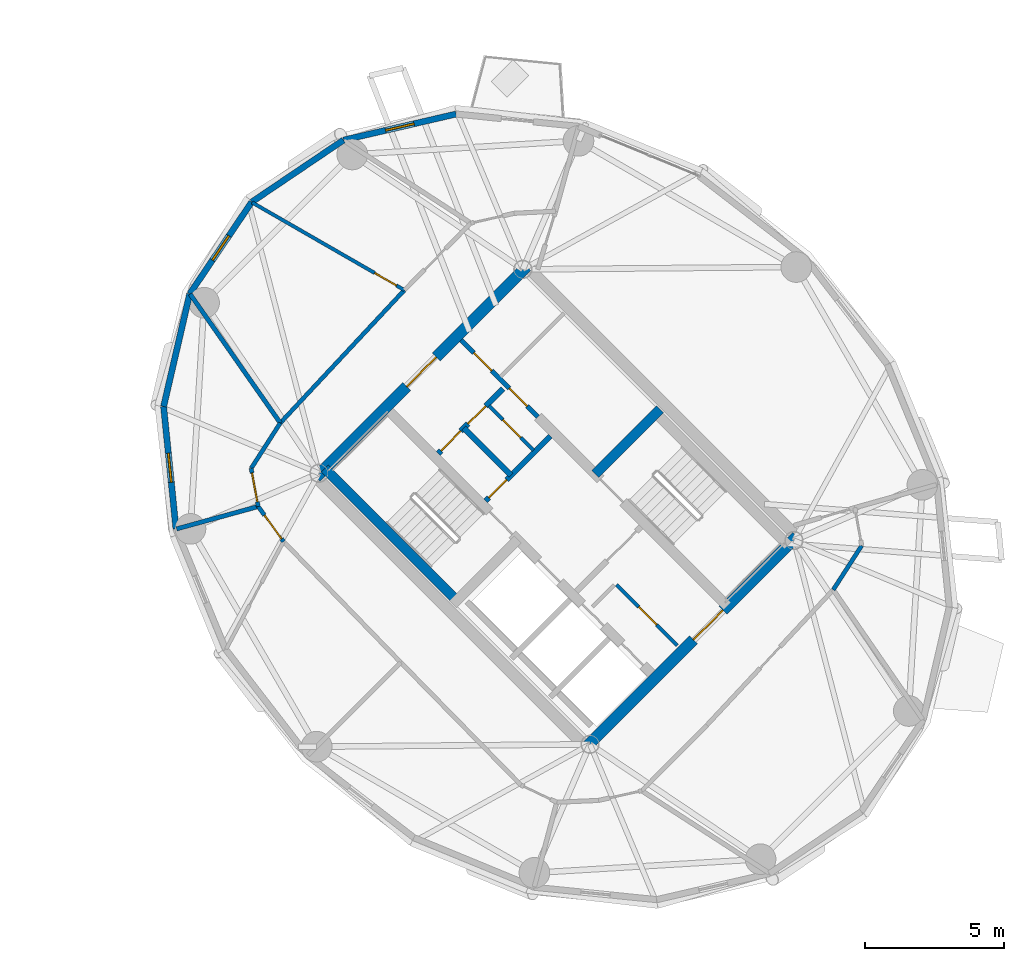
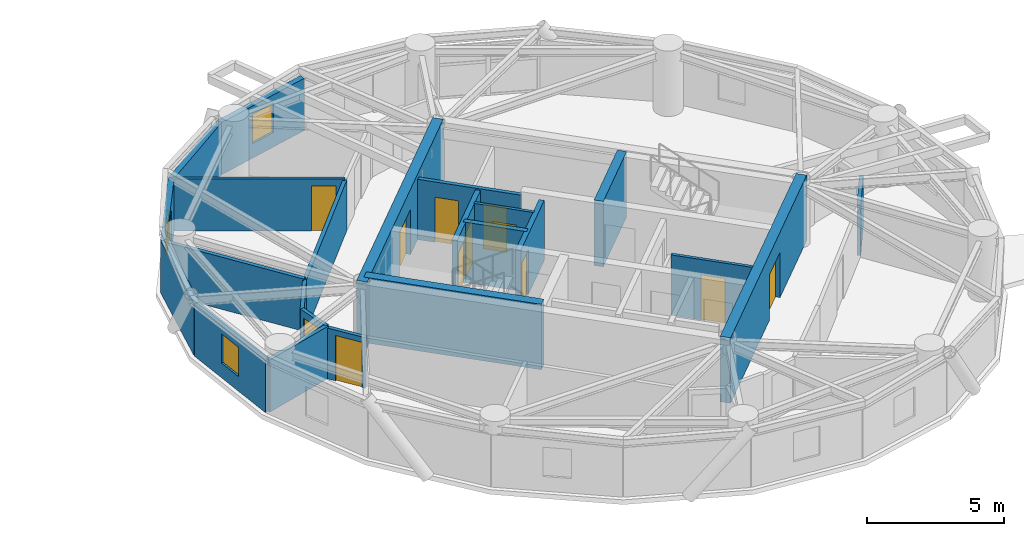
# One storey, part 12 of 17: 23 walls, 12 doors, 3 windows, 15 openings.
"""IFC4 building model written with IfcOpenShell, lengths in metres."""

from ifc_helpers import new_model, si_unit, direction, frame, frame_2d, origin, place, context, subcontext, project, spatial, rectangle, extrude, source, transform, mapped, material, layer, layer_set, type_object, element, fill, save


model = new_model("IFC4")

# Units and contexts
model_context = context("Model", 3, precision=1e-05, world=origin(), true_north=direction((0.0, 1.0)))
body_context = subcontext(model_context, "Body", "Model", "MODEL_VIEW")
ifc_project = project(units=[si_unit("LENGTHUNIT", "METRE"), si_unit("AREAUNIT", "SQUARE_METRE"), si_unit("VOLUMEUNIT", "CUBIC_METRE"), si_unit("PLANEANGLEUNIT", "RADIAN"), si_unit("MASSUNIT", "GRAM", prefix="KILO")], contexts=[model_context])

# Site, building, storey
site_placement = place(None, origin())
site = spatial("IfcSite", under=ifc_project, at=site_placement, CompositionType="ELEMENT")
building_placement = place(site_placement, origin())
building = spatial("IfcBuilding", under=site, at=building_placement, Name="Cununo Teusaquillo Station Towers", CompositionType="ELEMENT")
storey_placement = place(building_placement, frame((0.0, 0.0, 205.389892578125)))
storey = spatial("IfcBuildingStorey", under=building, at=storey_placement, Name="L65", CompositionType="ELEMENT", Elevation=205.389892578125)

# Walls
ifc_material_1 = material(Name="Concrete C50/60", Category="concrete")
ifc_layer_1 = layer(ifc_material_1, 0.35009765625)
ifc_layer_set_1 = layer_set([ifc_layer_1], Name="Concrete C50/60")
wall_type_1 = type_object("IfcWallType", Name="WL-CORE-350", PredefinedType="SHEAR", material=ifc_layer_set_1)
wall_1_placement = place(storey_placement, frame((53.922119140625, 21.14111328125, 0.0), z_axis=(0.0, 0.0, 1.0), x_axis=(-0.707106781187, 0.707106781187, 0.0)))
element("IfcWall", 1, at=wall_1_placement, inside=storey, type_object=wall_type_1, Name="L65 Tower B Core Shear Wall ST1W", PredefinedType="SHEAR", context=body_context, shape_type="SweptSolid", body=[
    extrude(rectangle(XDim=6.695068359375, YDim=0.35009765625, at=frame_2d((3.34765625, 0.0))), origin(), (0.0, 0.0, 1.0), 2.91015625),
])
wall_2_placement = place(storey_placement, frame((58.89306640625, 25.673828125, 0.0), z_axis=(0.0, 0.0, 1.0), x_axis=(0.707106781187, 0.707106781187, 0.0)))
element("IfcWall", 2, at=wall_2_placement, inside=storey, type_object=wall_type_1, Name="L65 Tower B Core Shear Wall ST2N", PredefinedType="SHEAR", context=body_context, shape_type="SweptSolid", body=[
    extrude(rectangle(XDim=3.284912109375, YDim=0.35009765625, at=frame_2d((1.642578125, 0.0))), origin(), (0.0, 0.0, 1.0), 2.91015625),
])

# Wall, opening, door
ifc_material_2 = material(Name="Concrete C50/60", Category="concrete")
ifc_layer_2 = layer(ifc_material_2, 0.39990234375)
ifc_layer_set_2 = layer_set([ifc_layer_2], Name="Concrete C50/60")
wall_type_2 = type_object("IfcWallType", Name="WL-CORE-400", PredefinedType="SHEAR", material=ifc_layer_set_2)
wall_3_placement = place(storey_placement, frame((58.560791015625, 15.873291015625, 0.0), z_axis=(0.0, 0.0, 1.0), x_axis=(0.707106781187, 0.707106781187, 0.0)))
wall_3 = element("IfcWall", 3, at=wall_3_placement, inside=storey, type_object=wall_type_2, Name="L65 Tower B Core Shear Wall S", PredefinedType="SHEAR", context=body_context, shape_type="SweptSolid", body=[
    extrude(rectangle(XDim=10.69970703125, YDim=0.39990234375, at=frame_2d((5.349853515625, 0.0))), origin(), (0.0, 0.0, 1.0), 2.91015625),
])
shared_shape_1 = source(origin(), body_context, "Body", "SweptSolid", [
    extrude(rectangle(XDim=1.5, YDim=2.02001953125, at=frame_2d((0.75, 1.010009765625))), frame((0.0, 0.2099609375, 0.0), z_axis=(0.0, -1.0, 0.0), x_axis=(1.0, 0.0, 0.0)), (0.0, 0.0, 1.0), 0.419921875),
])
opening_1_placement = place(wall_3_placement, frame((5.449951171875, 0.0, 0.0)))
opening_1 = element("IfcOpeningElement", 4, at=opening_1_placement, cuts=wall_3, Name="Opening D-LB1", PredefinedType="OPENING", context=body_context, shape_type="MappedRepresentation", body=[
    mapped(shared_shape_1, transform((0.0, 0.0, 0.0), x_axis=(1.0, 0.0, 0.0), y_axis=(0.0, 1.0, 0.0), z_axis=(0.0, 0.0, 1.0), scale=1.0)),
])
ifc_material_3 = material(Name="Galvanised fire-rated hollow steel door assembly", Category="steel")
door_type_1 = type_object("IfcDoorType", Name="DR-LOBBY-1500", OperationType="DOUBLE_DOOR_SINGLE_SWING", PredefinedType="DOOR", material=ifc_material_3)
shared_shape_2 = source(origin(), body_context, "Body", "SweptSolid", [
    extrude(rectangle(XDim=1.5, YDim=2.02001953125, at=frame_2d((0.75, 1.010009765625))), frame((0.0, 0.02490234375, 0.0), z_axis=(0.0, -1.0, 0.0), x_axis=(1.0, 0.0, 0.0)), (0.0, 0.0, 1.0), 0.050048828125),
])
door_1_placement = place(opening_1_placement, origin())
door_1 = element("IfcDoor", 5, at=door_1_placement, inside=storey, type_object=door_type_1, Name="L65 Tower B South Core Lift Lobby Door", OperationType="DOUBLE_DOOR_SINGLE_SWING", OverallHeight=2.02001953125, OverallWidth=1.5, PredefinedType="DOOR", context=body_context, shape_type="MappedRepresentation", body=[
    mapped(shared_shape_2, transform((0.0, 0.0, 0.0), x_axis=(1.0, 0.0, 0.0), y_axis=(0.0, 1.0, 0.0), z_axis=(0.0, 0.0, 1.0), scale=1.0)),
])
fill(opening_1, door_1)

wall_4_placement = place(storey_placement, frame((48.873291015625, 25.560791015625, 0.0), z_axis=(0.0, 0.0, 1.0), x_axis=(0.707106781187, 0.707106781187, 0.0)))
wall_4 = element("IfcWall", 6, at=wall_4_placement, inside=storey, type_object=wall_type_2, Name="L65 Tower B Core Shear Wall N", PredefinedType="SHEAR", context=body_context, shape_type="SweptSolid", body=[
    extrude(rectangle(XDim=10.69970703125, YDim=0.39990234375, at=frame_2d((5.349853515625, 0.0))), origin(), (0.0, 0.0, 1.0), 2.91015625),
])
opening_2_placement = place(wall_4_placement, frame((4.60009765625, 0.0, 0.0)))
opening_2 = element("IfcOpeningElement", 7, at=opening_2_placement, cuts=wall_4, Name="Opening D-LB1", PredefinedType="OPENING", context=body_context, shape_type="MappedRepresentation", body=[
    mapped(shared_shape_1, transform((0.0, 0.0, 0.0), x_axis=(1.0, 0.0, 0.0), y_axis=(0.0, 1.0, 0.0), z_axis=(0.0, 0.0, 1.0), scale=1.0)),
])
door_2_placement = place(opening_2_placement, origin())
door_2 = element("IfcDoor", 8, at=door_2_placement, inside=storey, type_object=door_type_1, Name="L65 Tower B North Core Lift Lobby Door", OperationType="DOUBLE_DOOR_SINGLE_SWING", OverallHeight=2.02001953125, OverallWidth=1.5, PredefinedType="DOOR", context=body_context, shape_type="MappedRepresentation", body=[
    mapped(shared_shape_2, transform((0.0, 0.0, 0.0), x_axis=(1.0, 0.0, 0.0), y_axis=(0.0, 1.0, 0.0), z_axis=(0.0, 0.0, 1.0), scale=1.0)),
])
fill(opening_2, door_2)

# Wall, opening, window
ifc_material_4 = material(Name="Precast concrete C40/50", Category="concrete")
ifc_layer_3 = layer(ifc_material_4, 0.219970703125)
ifc_layer_set_3 = layer_set([ifc_layer_3], Name="Precast concrete C40/50")
wall_type_3 = type_object("IfcWallType", Name="WL-EXT-220", PredefinedType="SOLIDWALL", material=ifc_layer_set_3)
wall_5_placement = place(storey_placement, frame((49.856201171875, 37.663330078125, 0.0), z_axis=(0.0, 0.0, 1.0), x_axis=(0.974249228678, 0.225473813158, 0.0)))
wall_5 = element("IfcWall", 9, at=wall_5_placement, inside=storey, type_object=wall_type_3, Name="L65 Tower B Exterior Facade Wall C03", PredefinedType="SOLIDWALL", context=body_context, shape_type="SweptSolid", body=[
    extrude(rectangle(XDim=4.150390625, YDim=0.219970703125, at=frame_2d((2.0751953125, 0.0))), origin(), (0.0, 0.0, 1.0), 2.322021484375),
])
shared_shape_3 = source(origin(), body_context, "Body", "SweptSolid", [
    extrude(rectangle(XDim=1.050048828125, YDim=1.300048828125, at=frame_2d((0.52490234375, 0.64990234375))), frame((0.0, 0.119873046875, 0.0), z_axis=(0.0, -1.0, 0.0), x_axis=(1.0, 0.0, 0.0)), (0.0, 0.0, 1.0), 0.239990234375),
])
opening_3_placement = place(wall_5_placement, frame((1.550048828125, 0.0, 0.64990234375)))
opening_3 = element("IfcOpeningElement", 10, at=opening_3_placement, cuts=wall_5, Name="Opening WN-04", PredefinedType="OPENING", context=body_context, shape_type="MappedRepresentation", body=[
    mapped(shared_shape_3, transform((0.0, 0.0, 0.0), x_axis=(1.0, 0.0, 0.0), y_axis=(0.0, 1.0, 0.0), z_axis=(0.0, 0.0, 1.0), scale=1.0)),
])
ifc_material_5 = material(Name="Operable acoustic tinted low-E double glazing", Category="glass")
window_type = type_object("IfcWindowType", Name="WIN-BAL-1050", PartitioningType="SINGLE_PANEL", PredefinedType="WINDOW", material=ifc_material_5)
shared_shape_4 = source(origin(), body_context, "Body", "SweptSolid", [
    extrude(rectangle(XDim=1.050048828125, YDim=1.300048828125, at=frame_2d((0.52490234375, 0.64990234375))), frame((0.0, 0.030029296875, 0.0), z_axis=(0.0, -1.0, 0.0), x_axis=(1.0, 0.0, 0.0)), (0.0, 0.0, 1.0), 0.06005859375),
])
window_1_placement = place(opening_3_placement, origin())
window_1 = element("IfcWindow", 11, at=window_1_placement, inside=storey, type_object=window_type, Name="L65 Tower B Facade Window C03", OverallHeight=1.300048828125, OverallWidth=1.050048828125, PartitioningType="SINGLE_PANEL", PredefinedType="WINDOW", context=body_context, shape_type="MappedRepresentation", body=[
    mapped(shared_shape_4, transform((0.0, 0.0, 0.0), x_axis=(1.0, 0.0, 0.0), y_axis=(0.0, 1.0, 0.0), z_axis=(0.0, 0.0, 1.0), scale=1.0)),
])
fill(opening_3, window_1)

# Wall
wall_6_placement = place(storey_placement, frame((46.56103515625, 35.43896484375, 0.0), z_axis=(0.0, 0.0, 1.0), x_axis=(0.828833723692, 0.559495003079, 0.0)))
element("IfcWall", 12, at=wall_6_placement, inside=storey, type_object=wall_type_3, Name="L65 Tower B Exterior Facade Wall C04", PredefinedType="SOLIDWALL", context=body_context, shape_type="SweptSolid", body=[
    extrude(rectangle(XDim=3.9755859375, YDim=0.219970703125, at=frame_2d((1.98779296875, 0.0))), origin(), (0.0, 0.0, 1.0), 2.322021484375),
])

# Wall, opening, window
wall_7_placement = place(storey_placement, frame((44.336669921875, 32.143798828125, 0.0), z_axis=(0.0, 0.0, 1.0), x_axis=(0.559495003079, 0.828833723692, 0.0)))
wall_7 = element("IfcWall", 13, at=wall_7_placement, inside=storey, type_object=wall_type_3, Name="L65 Tower B Exterior Facade Wall C05", PredefinedType="SOLIDWALL", context=body_context, shape_type="SweptSolid", body=[
    extrude(rectangle(XDim=3.9755859375, YDim=0.219970703125, at=frame_2d((1.98779296875, 0.0))), origin(), (0.0, 0.0, 1.0), 2.322021484375),
])
opening_4_placement = place(wall_7_placement, frame((1.462890625, 0.0, 0.64990234375)))
opening_4 = element("IfcOpeningElement", 14, at=opening_4_placement, cuts=wall_7, Name="Opening WN-04", PredefinedType="OPENING", context=body_context, shape_type="MappedRepresentation", body=[
    mapped(shared_shape_3, transform((0.0, 0.0, 0.0), x_axis=(1.0, 0.0, 0.0), y_axis=(0.0, 1.0, 0.0), z_axis=(0.0, 0.0, 1.0), scale=1.0)),
])
window_2_placement = place(opening_4_placement, origin())
window_2 = element("IfcWindow", 15, at=window_2_placement, inside=storey, type_object=window_type, Name="L65 Tower B Facade Window C05", OverallHeight=1.300048828125, OverallWidth=1.050048828125, PartitioningType="SINGLE_PANEL", PredefinedType="WINDOW", context=body_context, shape_type="MappedRepresentation", body=[
    mapped(shared_shape_4, transform((0.0, 0.0, 0.0), x_axis=(1.0, 0.0, 0.0), y_axis=(0.0, 1.0, 0.0), z_axis=(0.0, 0.0, 1.0), scale=1.0)),
])
fill(opening_4, window_2)

# Wall
wall_8_placement = place(storey_placement, frame((43.40087890625, 28.100341796875, 0.0), z_axis=(0.0, 0.0, 1.0), x_axis=(0.225473813158, 0.974249228678, 0.0)))
element("IfcWall", 16, at=wall_8_placement, inside=storey, type_object=wall_type_3, Name="L65 Tower B Exterior Facade Wall C06", PredefinedType="SOLIDWALL", context=body_context, shape_type="SweptSolid", body=[
    extrude(rectangle(XDim=4.150390625, YDim=0.219970703125, at=frame_2d((2.0751953125, 0.0))), origin(), (0.0, 0.0, 1.0), 2.322021484375),
])

# Wall, opening, window
wall_9_placement = place(storey_placement, frame((43.84521484375, 23.70458984375, 0.0), z_axis=(0.0, 0.0, 1.0), x_axis=(-0.100570534541, 0.994929930991, 0.0)))
wall_9 = element("IfcWall", 17, at=wall_9_placement, inside=storey, type_object=wall_type_3, Name="L65 Tower B Exterior Facade Wall C07", PredefinedType="SOLIDWALL", context=body_context, shape_type="SweptSolid", body=[
    extrude(rectangle(XDim=4.418212890625, YDim=0.219970703125, at=frame_2d((2.208984375, 0.0))), origin(), (0.0, 0.0, 1.0), 2.322021484375),
])
opening_5_placement = place(wall_9_placement, frame((1.68408203125, 0.0, 0.64990234375)))
opening_5 = element("IfcOpeningElement", 18, at=opening_5_placement, cuts=wall_9, Name="Opening WN-04", PredefinedType="OPENING", context=body_context, shape_type="MappedRepresentation", body=[
    mapped(shared_shape_3, transform((0.0, 0.0, 0.0), x_axis=(1.0, 0.0, 0.0), y_axis=(0.0, 1.0, 0.0), z_axis=(0.0, 0.0, 1.0), scale=1.0)),
])
window_3_placement = place(opening_5_placement, origin())
window_3 = element("IfcWindow", 19, at=window_3_placement, inside=storey, type_object=window_type, Name="L65 Tower B Facade Window C07", OverallHeight=1.300048828125, OverallWidth=1.050048828125, PartitioningType="SINGLE_PANEL", PredefinedType="WINDOW", context=body_context, shape_type="MappedRepresentation", body=[
    mapped(shared_shape_4, transform((0.0, 0.0, 0.0), x_axis=(1.0, 0.0, 0.0), y_axis=(0.0, 1.0, 0.0), z_axis=(0.0, 0.0, 1.0), scale=1.0)),
])
fill(opening_5, window_3)

# Wall, opening, door
ifc_material_6 = material(Name="Fire-rated gypsum plasterboard partition assembly", Category="gypsum")
ifc_layer_4 = layer(ifc_material_6, 0.125)
ifc_layer_set_4 = layer_set([ifc_layer_4], Name="Fire-rated gypsum plasterboard partition assembly")
wall_type_4 = type_object("IfcWallType", Name="WL-PART-125", PredefinedType="PARTITIONING", material=ifc_layer_set_4)
wall_10_placement = place(storey_placement, frame((61.834716796875, 19.529052734375, 0.0), z_axis=(0.0, 0.0, 1.0), x_axis=(-0.707146413884, 0.707067146267, 0.0)))
wall_10 = element("IfcWall", 20, at=wall_10_placement, inside=storey, type_object=wall_type_4, Name="L65 Tower B South-West Tall Store East Wall", PredefinedType="PARTITIONING", context=body_context, shape_type="SweptSolid", body=[
    extrude(rectangle(XDim=3.079833984375, YDim=0.125, at=frame_2d((1.5400390625, 0.0))), origin(), (0.0, 0.0, 1.0), 2.68505859375),
])
shared_shape_5 = source(origin(), body_context, "Body", "SweptSolid", [
    extrude(rectangle(XDim=0.89990234375, YDim=2.0048828125, at=frame_2d((0.449951171875, 1.00244140625))), frame((0.0, 0.072509765625, 0.0), z_axis=(0.0, -1.0, 0.0), x_axis=(1.0, 0.0, 0.0)), (0.0, 0.0, 1.0), 0.14501953125),
])
opening_6_placement = place(wall_10_placement, frame((1.050048828125, 0.0, 0.0)))
opening_6 = element("IfcOpeningElement", 21, at=opening_6_placement, cuts=wall_10, Name="Opening D-SR1", PredefinedType="OPENING", context=body_context, shape_type="MappedRepresentation", body=[
    mapped(shared_shape_5, transform((0.0, 0.0, 0.0), x_axis=(1.0, 0.0, 0.0), y_axis=(0.0, 1.0, 0.0), z_axis=(0.0, 0.0, 1.0), scale=1.0)),
])
ifc_material_7 = material(Name="Galvanised fire-rated hollow steel door assembly", Category="steel")
door_type_2 = type_object("IfcDoorType", Name="DR-STORE-900", OperationType="NOTDEFINED", PredefinedType="DOOR", material=ifc_material_7)
shared_shape_6 = source(origin(), body_context, "Body", "SweptSolid", [
    extrude(rectangle(XDim=0.89990234375, YDim=2.0048828125, at=frame_2d((0.449951171875, 1.00244140625))), frame((0.0, 0.02490234375, 0.0), z_axis=(0.0, -1.0, 0.0), x_axis=(1.0, 0.0, 0.0)), (0.0, 0.0, 1.0), 0.050048828125),
])
door_3_placement = place(opening_6_placement, origin())
door_3 = element("IfcDoor", 22, at=door_3_placement, inside=storey, type_object=door_type_2, Name="L65 Tower B South Cleaners Store Door", OperationType="SINGLE_SWING_LEFT", OverallHeight=2.0048828125, OverallWidth=0.89990234375, PredefinedType="DOOR", context=body_context, shape_type="MappedRepresentation", body=[
    mapped(shared_shape_6, transform((0.0, 0.0, 0.0), x_axis=(1.0, 0.0, 0.0), y_axis=(0.0, 1.0, 0.0), z_axis=(0.0, 0.0, 1.0), scale=1.0)),
])
fill(opening_6, door_3)

wall_11_placement = place(storey_placement, frame((56.672607421875, 26.529296875, 0.0), z_axis=(0.0, 0.0, 1.0), x_axis=(-0.707052764397, 0.70716079385, 0.0)))
wall_11 = element("IfcWall", 23, at=wall_11_placement, inside=storey, type_object=wall_type_4, Name="L65 Tower B Core Vertical Split Wall", PredefinedType="PARTITIONING", context=body_context, shape_type="SweptSolid", body=[
    extrude(rectangle(XDim=2.260009765625, YDim=0.125, at=frame_2d((1.1298828125, 0.0))), origin(), (0.0, 0.0, 1.0), 2.68505859375),
])
opening_7_placement = place(wall_11_placement, frame((0.64990234375, 0.0, 0.0)))
opening_7 = element("IfcOpeningElement", 24, at=opening_7_placement, cuts=wall_11, Name="Opening D-SR1", PredefinedType="OPENING", context=body_context, shape_type="MappedRepresentation", body=[
    mapped(shared_shape_5, transform((0.0, 0.0, 0.0), x_axis=(1.0, 0.0, 0.0), y_axis=(0.0, 1.0, 0.0), z_axis=(0.0, 0.0, 1.0), scale=1.0)),
])
door_4_placement = place(opening_7_placement, origin())
door_4 = element("IfcDoor", 25, at=door_4_placement, inside=storey, type_object=door_type_2, Name="L65 Tower B Core Electrical Room Door", OperationType="SINGLE_SWING_LEFT", OverallHeight=2.0048828125, OverallWidth=0.89990234375, PredefinedType="DOOR", context=body_context, shape_type="MappedRepresentation", body=[
    mapped(shared_shape_6, transform((0.0, 0.0, 0.0), x_axis=(1.0, 0.0, 0.0), y_axis=(0.0, 1.0, 0.0), z_axis=(0.0, 0.0, 1.0), scale=1.0)),
])
fill(opening_7, door_4)

wall_12_placement = place(storey_placement, frame((52.04345703125, 32.27978515625, 0.0), z_axis=(0.0, 0.0, 1.0), x_axis=(-0.866853616581, 0.498562741709, 0.0)))
wall_12 = element("IfcWall", 26, at=wall_12_placement, inside=storey, type_object=wall_type_4, Name="L65 Tower B International Arbitration Salon Suite Subdividing Wall", PredefinedType="PARTITIONING", context=body_context, shape_type="SweptSolid", body=[
    extrude(rectangle(XDim=6.30810546875, YDim=0.125, at=frame_2d((3.154052734375, 0.0))), origin(), (0.0, 0.0, 1.0), 2.322021484375),
])
opening_8_placement = place(wall_12_placement, frame((0.330078125, 0.0, 0.0)))
opening_8 = element("IfcOpeningElement", 27, at=opening_8_placement, cuts=wall_12, Name="Opening D-IN1", PredefinedType="OPENING", context=body_context, shape_type="MappedRepresentation", body=[
    mapped(shared_shape_5, transform((0.0, 0.0, 0.0), x_axis=(1.0, 0.0, 0.0), y_axis=(0.0, 1.0, 0.0), z_axis=(0.0, 0.0, 1.0), scale=1.0)),
])
ifc_material_8 = material(Name="Acoustic solid-core hardwood leaf assembly", Category="wood")
door_type_3 = type_object("IfcDoorType", Name="DR-INT-900", OperationType="NOTDEFINED", PredefinedType="DOOR", material=ifc_material_8)
door_5_placement = place(opening_8_placement, origin())
door_5 = element("IfcDoor", 28, at=door_5_placement, inside=storey, type_object=door_type_3, Name="L65 Tower B International Arbitration Salon Suite Connecting Door", OperationType="SINGLE_SWING_RIGHT", OverallHeight=2.0048828125, OverallWidth=0.89990234375, PredefinedType="DOOR", context=body_context, shape_type="MappedRepresentation", body=[
    mapped(shared_shape_6, transform((0.0, 0.0, 0.0), x_axis=(1.0, 0.0, 0.0), y_axis=(0.0, 1.0, 0.0), z_axis=(0.0, 0.0, 1.0), scale=1.0)),
])
fill(opening_8, door_5)

# Walls
ifc_material_9 = material(Name="Fire-rated gypsum plasterboard partition assembly", Category="gypsum")
ifc_layer_5 = layer(ifc_material_9, 0.14990234375)
ifc_layer_set_5 = layer_set([ifc_layer_5], Name="Fire-rated gypsum plasterboard partition assembly")
wall_type_5 = type_object("IfcWallType", Name="WL-PART-150", PredefinedType="PARTITIONING", material=ifc_layer_set_5)
wall_13_placement = place(storey_placement, frame((52.04345703125, 32.27978515625, 0.0), z_axis=(0.0, 0.0, 1.0), x_axis=(-0.682606081633, -0.730786519661, 0.0)))
element("IfcWall", 29, at=wall_13_placement, inside=storey, type_object=wall_type_5, Name="L65 Tower B Corridor Ring Wall C05", PredefinedType="PARTITIONING", context=body_context, shape_type="SweptSolid", body=[
    extrude(rectangle(XDim=6.526611328125, YDim=0.14990234375, at=frame_2d((3.26318359375, 0.0))), origin(), (0.0, 0.0, 1.0), 2.255126953125),
])
wall_14_placement = place(storey_placement, frame((47.58837890625, 27.51025390625, 0.0), z_axis=(0.0, 0.0, 1.0), x_axis=(-0.540202619347, -0.841534984449, 0.0)))
element("IfcWall", 30, at=wall_14_placement, inside=storey, type_object=wall_type_5, Name="L65 Tower B Corridor Ring Wall C06", PredefinedType="PARTITIONING", context=body_context, shape_type="SweptSolid", body=[
    extrude(rectangle(XDim=1.934814453125, YDim=0.14990234375, at=frame_2d((0.96728515625, 0.0))), origin(), (0.0, 0.0, 1.0), 2.255126953125),
])

# Wall, opening, door
wall_15_placement = place(storey_placement, frame((46.543212890625, 25.882080078125, 0.0), z_axis=(0.0, 0.0, 1.0), x_axis=(0.181153502579, -0.983454832976, 0.0)))
wall_15 = element("IfcWall", 31, at=wall_15_placement, inside=storey, type_object=wall_type_5, Name="L65 Tower B Corridor Ring Wall C07", PredefinedType="PARTITIONING", context=body_context, shape_type="SweptSolid", body=[
    extrude(rectangle(XDim=1.39208984375, YDim=0.14990234375, at=frame_2d((0.696044921875, 0.0))), origin(), (0.0, 0.0, 1.0), 2.322021484375),
])
shared_shape_7 = source(origin(), body_context, "Body", "SweptSolid", [
    extrude(rectangle(XDim=1.050048828125, YDim=2.014892578125, at=frame_2d((0.52490234375, 1.00732421875))), frame((0.0, 0.0849609375, 0.0), z_axis=(0.0, -1.0, 0.0), x_axis=(1.0, 0.0, 0.0)), (0.0, 0.0, 1.0), 0.169921875),
])
opening_9_placement = place(wall_15_placement, frame((0.1708984375, 0.0, 0.0)))
opening_9 = element("IfcOpeningElement", 32, at=opening_9_placement, cuts=wall_15, Name="Opening D-SU1", PredefinedType="OPENING", context=body_context, shape_type="MappedRepresentation", body=[
    mapped(shared_shape_7, transform((0.0, 0.0, 0.0), x_axis=(1.0, 0.0, 0.0), y_axis=(0.0, 1.0, 0.0), z_axis=(0.0, 0.0, 1.0), scale=1.0)),
])
ifc_material_10 = material(Name="Acoustic solid-core hardwood leaf assembly", Category="wood")
door_type_4 = type_object("IfcDoorType", Name="DR-SUITE-1050", OperationType="NOTDEFINED", PredefinedType="DOOR", material=ifc_material_10)
shared_shape_8 = source(origin(), body_context, "Body", "SweptSolid", [
    extrude(rectangle(XDim=1.050048828125, YDim=2.014892578125, at=frame_2d((0.52490234375, 1.00732421875))), frame((0.0, 0.02490234375, 0.0), z_axis=(0.0, -1.0, 0.0), x_axis=(1.0, 0.0, 0.0)), (0.0, 0.0, 1.0), 0.050048828125),
])
door_6_placement = place(opening_9_placement, origin())
door_6 = element("IfcDoor", 33, at=door_6_placement, inside=storey, type_object=door_type_4, Name="L65 Tower B Senior Counsel Office Entrance Door", OperationType="SINGLE_SWING_LEFT", OverallHeight=2.014892578125, OverallWidth=1.050048828125, PredefinedType="DOOR", context=body_context, shape_type="MappedRepresentation", body=[
    mapped(shared_shape_8, transform((0.0, 0.0, 0.0), x_axis=(1.0, 0.0, 0.0), y_axis=(0.0, 1.0, 0.0), z_axis=(0.0, 0.0, 1.0), scale=1.0)),
])
fill(opening_9, door_6)

wall_16_placement = place(storey_placement, frame((46.79541015625, 24.512939453125, 0.0), z_axis=(0.0, 0.0, 1.0), x_axis=(0.585628197524, -0.810579801294, 0.0)))
wall_16 = element("IfcWall", 34, at=wall_16_placement, inside=storey, type_object=wall_type_5, Name="L65 Tower B Corridor Ring Wall C08", PredefinedType="PARTITIONING", context=body_context, shape_type="SweptSolid", body=[
    extrude(rectangle(XDim=1.55419921875, YDim=0.14990234375, at=frame_2d((0.777099609375, 0.0))), origin(), (0.0, 0.0, 1.0), 2.255126953125),
])
opening_10_placement = place(wall_16_placement, frame((0.384033203125, 0.0, 0.0)))
opening_10 = element("IfcOpeningElement", 35, at=opening_10_placement, cuts=wall_16, Name="Opening D-SU1", PredefinedType="OPENING", context=body_context, shape_type="MappedRepresentation", body=[
    mapped(shared_shape_7, transform((0.0, 0.0, 0.0), x_axis=(1.0, 0.0, 0.0), y_axis=(0.0, 1.0, 0.0), z_axis=(0.0, 0.0, 1.0), scale=1.0)),
])
door_7_placement = place(opening_10_placement, origin())
door_7 = element("IfcDoor", 36, at=door_7_placement, inside=storey, type_object=door_type_4, Name="L65 Tower B Visiting Envoy Briefing Room Entrance Door", OperationType="SINGLE_SWING_RIGHT", OverallHeight=2.014892578125, OverallWidth=1.050048828125, PredefinedType="DOOR", context=body_context, shape_type="MappedRepresentation", body=[
    mapped(shared_shape_8, transform((0.0, 0.0, 0.0), x_axis=(1.0, 0.0, 0.0), y_axis=(0.0, 1.0, 0.0), z_axis=(0.0, 0.0, 1.0), scale=1.0)),
])
fill(opening_10, door_7)

# Wall
wall_17_placement = place(storey_placement, frame((67.4345703125, 21.521484375, 0.0), z_axis=(0.0, 0.0, 1.0), x_axis=(0.540777197838, 0.841165870859, 0.0)))
element("IfcWall", 37, at=wall_17_placement, inside=storey, type_object=wall_type_5, Name="L65 Tower B Corridor Ring Wall C16", PredefinedType="PARTITIONING", context=body_context, shape_type="SweptSolid", body=[
    extrude(rectangle(XDim=1.887939453125, YDim=0.14990234375, at=frame_2d((0.94384765625, 0.0))), origin(), (0.0, 0.0, 1.0), 2.255126953125),
])

# Wall, openings, doors
ifc_material_11 = material(Name="Fire-rated gypsum plasterboard partition assembly", Category="gypsum")
ifc_layer_6 = layer(ifc_material_11, 0.159912109375)
ifc_layer_set_6 = layer_set([ifc_layer_6], Name="Fire-rated gypsum plasterboard partition assembly")
wall_type_6 = type_object("IfcWallType", Name="WL-PART-160", PredefinedType="PARTITIONING", material=ifc_layer_set_6)
wall_18_placement = place(storey_placement, frame((56.8388671875, 27.727783203125, 0.0), z_axis=(0.0, 0.0, 1.0), x_axis=(-0.707106781187, 0.707106781187, 0.0)))
wall_18 = element("IfcWall", 38, at=wall_18_placement, inside=storey, type_object=wall_type_6, Name="L65 Tower B Reclaimed Core Bay Entry Wall", PredefinedType="PARTITIONING", context=body_context, shape_type="SweptSolid", body=[
    extrude(rectangle(XDim=3.900146484375, YDim=0.159912109375, at=frame_2d((1.9501953125, 0.0))), origin(), (0.0, 0.0, 1.0), 2.68505859375),
])
shared_shape_9 = source(origin(), body_context, "Body", "SweptSolid", [
    extrude(rectangle(XDim=0.89990234375, YDim=2.0048828125, at=frame_2d((0.449951171875, 1.00244140625))), frame((0.0, 0.08984375, 0.0), z_axis=(0.0, -1.0, 0.0), x_axis=(1.0, 0.0, 0.0)), (0.0, 0.0, 1.0), 0.179931640625),
])
opening_11_placement = place(wall_18_placement, frame((0.550048828125, 0.0, 0.0)))
opening_11 = element("IfcOpeningElement", 39, at=opening_11_placement, cuts=wall_18, Name="Opening D-IN1", PredefinedType="OPENING", context=body_context, shape_type="MappedRepresentation", body=[
    mapped(shared_shape_9, transform((0.0, 0.0, 0.0), x_axis=(1.0, 0.0, 0.0), y_axis=(0.0, 1.0, 0.0), z_axis=(0.0, 0.0, 1.0), scale=1.0)),
])
opening_12_placement = place(wall_18_placement, frame((2.35009765625, 0.0, 0.0)))
opening_12 = element("IfcOpeningElement", 40, at=opening_12_placement, cuts=wall_18, Name="Opening D-IN1", PredefinedType="OPENING", context=body_context, shape_type="MappedRepresentation", body=[
    mapped(shared_shape_9, transform((0.0, 0.0, 0.0), x_axis=(1.0, 0.0, 0.0), y_axis=(0.0, 1.0, 0.0), z_axis=(0.0, 0.0, 1.0), scale=1.0)),
])
door_8_placement = place(opening_11_placement, origin())
door_8 = element("IfcDoor", 41, at=door_8_placement, inside=storey, type_object=door_type_3, Name="L65 Tower B Reclaimed Core Study Door", OperationType="SINGLE_SWING_RIGHT", OverallHeight=2.0048828125, OverallWidth=0.89990234375, PredefinedType="DOOR", context=body_context, shape_type="MappedRepresentation", body=[
    mapped(shared_shape_6, transform((0.0, 0.0, 0.0), x_axis=(1.0, 0.0, 0.0), y_axis=(0.0, 1.0, 0.0), z_axis=(0.0, 0.0, 1.0), scale=1.0)),
])
fill(opening_11, door_8)
door_9_placement = place(opening_12_placement, origin())
door_9 = element("IfcDoor", 42, at=door_9_placement, inside=storey, type_object=door_type_3, Name="L65 Tower B Reclaimed Core Pantry Door", OperationType="SINGLE_SWING_LEFT", OverallHeight=2.0048828125, OverallWidth=0.89990234375, PredefinedType="DOOR", context=body_context, shape_type="MappedRepresentation", body=[
    mapped(shared_shape_6, transform((0.0, 0.0, 0.0), x_axis=(1.0, 0.0, 0.0), y_axis=(0.0, 1.0, 0.0), z_axis=(0.0, 0.0, 1.0), scale=1.0)),
])
fill(opening_12, door_9)

# Walls
wall_19_placement = place(storey_placement, frame((47.58837890625, 27.51025390625, 0.0), z_axis=(0.0, 0.0, 1.0), x_axis=(-0.573073195236, 0.819504187239, 0.0)))
element("IfcWall", 43, at=wall_19_placement, inside=storey, type_object=wall_type_6, Name="L65 Tower B Radial Suite Partition R03", PredefinedType="PARTITIONING", context=body_context, shape_type="SweptSolid", body=[
    extrude(rectangle(XDim=5.64306640625, YDim=0.159912109375, at=frame_2d((2.821533203125, 0.0))), origin(), (0.0, 0.0, 1.0), 2.322021484375),
])
wall_20_placement = place(storey_placement, frame((46.79541015625, 24.512939453125, 0.0), z_axis=(0.0, 0.0, 1.0), x_axis=(-0.964263392178, -0.264945485912, 0.0)))
element("IfcWall", 44, at=wall_20_placement, inside=storey, type_object=wall_type_6, Name="L65 Tower B Radial Suite Partition R04", PredefinedType="PARTITIONING", context=body_context, shape_type="SweptSolid", body=[
    extrude(rectangle(XDim=3.0390625, YDim=0.159912109375, at=frame_2d((1.51953125, 0.0))), origin(), (0.0, 0.0, 1.0), 2.322021484375),
])

# Wall, opening, door
ifc_material_12 = material(Name="Fire-rated gypsum plasterboard partition assembly", Category="gypsum")
ifc_layer_7 = layer(ifc_material_12, 0.199951171875)
ifc_layer_set_7 = layer_set([ifc_layer_7], Name="Fire-rated gypsum plasterboard partition assembly")
wall_type_7 = type_object("IfcWallType", Name="WL-PART-200", PredefinedType="PARTITIONING", material=ifc_layer_set_7)
wall_21_placement = place(storey_placement, frame((54.96142578125, 24.71923828125, 0.0), z_axis=(0.0, 0.0, 1.0), x_axis=(0.707106781187, 0.707106781187, 0.0)))
wall_21 = element("IfcWall", 45, at=wall_21_placement, inside=storey, type_object=wall_type_7, Name="L65 Tower B Firefighting Lift Lobby North Fire Wall", PredefinedType="PARTITIONING", context=body_context, shape_type="SweptSolid", body=[
    extrude(rectangle(XDim=3.280029296875, YDim=0.199951171875, at=frame_2d((1.64013671875, 0.0))), origin(), (0.0, 0.0, 1.0), 2.68505859375),
])
shared_shape_10 = source(origin(), body_context, "Body", "SweptSolid", [
    extrude(rectangle(XDim=0.89990234375, YDim=2.0048828125, at=frame_2d((0.449951171875, 1.00244140625))), frame((0.0, 0.10986328125, 0.0), z_axis=(0.0, -1.0, 0.0), x_axis=(1.0, 0.0, 0.0)), (0.0, 0.0, 1.0), 0.219970703125),
])
opening_13_placement = place(wall_21_placement, frame((0.159912109375, 0.0, 0.0)))
opening_13 = element("IfcOpeningElement", 46, at=opening_13_placement, cuts=wall_21, Name="Opening D-SR1", PredefinedType="OPENING", context=body_context, shape_type="MappedRepresentation", body=[
    mapped(shared_shape_10, transform((0.0, 0.0, 0.0), x_axis=(1.0, 0.0, 0.0), y_axis=(0.0, 1.0, 0.0), z_axis=(0.0, 0.0, 1.0), scale=1.0)),
])
door_10_placement = place(opening_13_placement, origin())
door_10 = element("IfcDoor", 47, at=door_10_placement, inside=storey, type_object=door_type_2, Name="L65 Tower B Stair 1 Protected Vestibule South Door", OperationType="SINGLE_SWING_LEFT", OverallHeight=2.0048828125, OverallWidth=0.89990234375, PredefinedType="DOOR", context=body_context, shape_type="MappedRepresentation", body=[
    mapped(shared_shape_6, transform((0.0, 0.0, 0.0), x_axis=(1.0, 0.0, 0.0), y_axis=(0.0, 1.0, 0.0), z_axis=(0.0, 0.0, 1.0), scale=1.0)),
])
fill(opening_13, door_10)

# Wall
wall_22_placement = place(storey_placement, frame((55.873779296875, 25.63134765625, 0.0), z_axis=(0.0, 0.0, 1.0), x_axis=(-0.707157639372, 0.707055919343, 0.0)))
element("IfcWall", 48, at=wall_22_placement, inside=storey, type_object=wall_type_7, Name="L65 Tower B Stair 1 Vestibule Partition Wall", PredefinedType="PARTITIONING", context=body_context, shape_type="SweptSolid", body=[
    extrude(rectangle(XDim=2.400146484375, YDim=0.199951171875, at=frame_2d((1.2001953125, 0.0))), origin(), (0.0, 0.0, 1.0), 2.68505859375),
])

# Wall, openings, doors
wall_23_placement = place(storey_placement, frame((53.264404296875, 26.416259765625, 0.0), z_axis=(0.0, 0.0, 1.0), x_axis=(0.707106781187, 0.707106781187, 0.0)))
wall_23 = element("IfcWall", 49, at=wall_23_placement, inside=storey, type_object=wall_type_7, Name="L65 Tower B North Lift Lobby South Fire Wall", PredefinedType="PARTITIONING", context=body_context, shape_type="SweptSolid", body=[
    extrude(rectangle(XDim=3.280029296875, YDim=0.199951171875, at=frame_2d((1.64013671875, 0.0))), origin(), (0.0, 0.0, 1.0), 2.68505859375),
])
shared_shape_11 = source(origin(), body_context, "Body", "SweptSolid", [
    extrude(rectangle(XDim=1.0, YDim=2.014892578125, at=frame_2d((0.5, 1.00732421875))), frame((0.0, 0.10986328125, 0.0), z_axis=(0.0, -1.0, 0.0), x_axis=(1.0, 0.0, 0.0)), (0.0, 0.0, 1.0), 0.219970703125),
])
opening_14_placement = place(wall_23_placement, frame((0.139892578125, 0.0, 0.0)))
opening_14 = element("IfcOpeningElement", 50, at=opening_14_placement, cuts=wall_23, Name="Opening D-AC1", PredefinedType="OPENING", context=body_context, shape_type="MappedRepresentation", body=[
    mapped(shared_shape_11, transform((0.0, 0.0, 0.0), x_axis=(1.0, 0.0, 0.0), y_axis=(0.0, 1.0, 0.0), z_axis=(0.0, 0.0, 1.0), scale=1.0)),
])
opening_15_placement = place(wall_23_placement, frame((1.5, 0.0, 0.0)))
opening_15 = element("IfcOpeningElement", 51, at=opening_15_placement, cuts=wall_23, Name="Opening D-SR1", PredefinedType="OPENING", context=body_context, shape_type="MappedRepresentation", body=[
    mapped(shared_shape_10, transform((0.0, 0.0, 0.0), x_axis=(1.0, 0.0, 0.0), y_axis=(0.0, 1.0, 0.0), z_axis=(0.0, 0.0, 1.0), scale=1.0)),
])
door_11_placement = place(opening_15_placement, origin())
door_11 = element("IfcDoor", 52, at=door_11_placement, inside=storey, type_object=door_type_2, Name="L65 Tower B Core Housekeeping Store Door", OperationType="SINGLE_SWING_RIGHT", OverallHeight=2.0048828125, OverallWidth=0.89990234375, PredefinedType="DOOR", context=body_context, shape_type="MappedRepresentation", body=[
    mapped(shared_shape_6, transform((0.0, 0.0, 0.0), x_axis=(1.0, 0.0, 0.0), y_axis=(0.0, 1.0, 0.0), z_axis=(0.0, 0.0, 1.0), scale=1.0)),
])
fill(opening_15, door_11)
ifc_material_13 = material(Name="Acoustic solid-core hardwood leaf assembly", Category="wood")
door_type_5 = type_object("IfcDoorType", Name="DR-ACC-1000", OperationType="NOTDEFINED", PredefinedType="DOOR", material=ifc_material_13)
shared_shape_12 = source(origin(), body_context, "Body", "SweptSolid", [
    extrude(rectangle(XDim=1.0, YDim=2.014892578125, at=frame_2d((0.5, 1.00732421875))), frame((0.0, 0.02490234375, 0.0), z_axis=(0.0, -1.0, 0.0), x_axis=(1.0, 0.0, 0.0)), (0.0, 0.0, 1.0), 0.050048828125),
])
door_12_placement = place(opening_14_placement, origin())
door_12 = element("IfcDoor", 53, at=door_12_placement, inside=storey, type_object=door_type_5, Name="L65 Tower B North Lift Lobby to Stair 1 Vestibule Door", OperationType="SINGLE_SWING_RIGHT", OverallHeight=2.014892578125, OverallWidth=1.0, PredefinedType="DOOR", context=body_context, shape_type="MappedRepresentation", body=[
    mapped(shared_shape_12, transform((0.0, 0.0, 0.0), x_axis=(1.0, 0.0, 0.0), y_axis=(0.0, 1.0, 0.0), z_axis=(0.0, 0.0, 1.0), scale=1.0)),
])
fill(opening_14, door_12)

save(model, "model.ifc")
